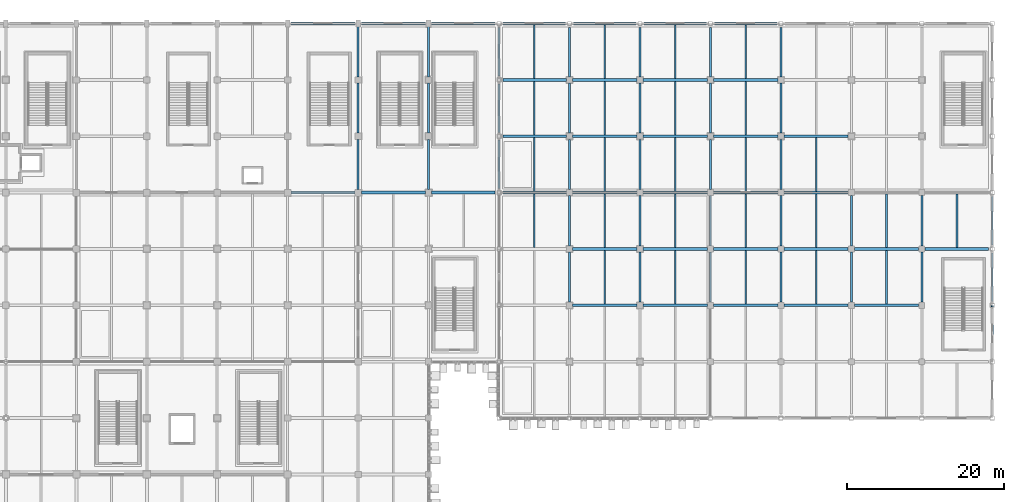
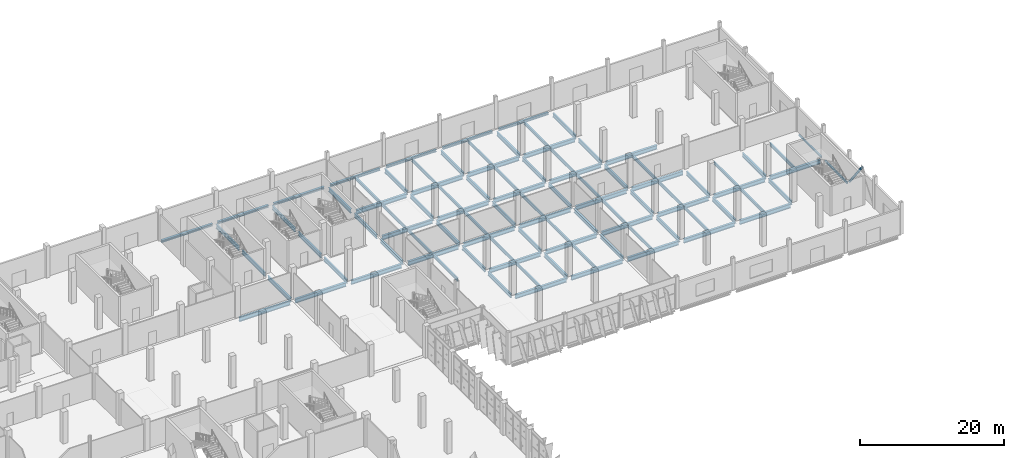
# One storey, part 70 of 137: 95 beams, 1 member.
"""IFC4 building model written with IfcOpenShell, lengths in metres."""

from ifc_helpers import new_model, si_unit, direction, frame, origin, origin_2d, place, context, subcontext, project, spatial, hollow_rectangle, hollow_circle, i_section, extrude, material, material_profile, profile_set, type_object, element, save


model = new_model("IFC4")

# Units and contexts
model_context = context("Model", 3, precision=1e-05, world=origin(), true_north=direction((0.0, 1.0)))
body_context = subcontext(model_context, "Body", "Model", "MODEL_VIEW")
ifc_project = project(units=[si_unit("LENGTHUNIT", "METRE"), si_unit("AREAUNIT", "SQUARE_METRE"), si_unit("VOLUMEUNIT", "CUBIC_METRE"), si_unit("PLANEANGLEUNIT", "RADIAN"), si_unit("MASSUNIT", "GRAM", prefix="KILO")], contexts=[model_context])

# Site, building, storey
site_placement = place(None, origin())
site = spatial("IfcSite", under=ifc_project, at=site_placement, CompositionType="ELEMENT")
building_placement = place(site_placement, origin())
building = spatial("IfcBuilding", under=site, at=building_placement, Name="Celestram Park Convention Centre", CompositionType="ELEMENT")
storey_placement = place(building_placement, origin())
storey = spatial("IfcBuildingStorey", under=building, at=storey_placement, Name="L00", CompositionType="ELEMENT", Elevation=0.0)

# Beams
ifc_material_1 = material(Name="Steel ASTM A992 Grade 50", Category="steel")
ifc_material_profile_1 = material_profile(ifc_material_1, i_section(OverallWidth=0.35595703125, OverallDepth=0.696044921875, WebThickness=0.015380859375, FlangeThickness=0.02490234375, at=origin_2d()), Name="W27X146")
ifc_profile_set_1 = profile_set([ifc_material_profile_1], Name="Steel ASTM A992 Grade 50")
beam_type_1 = type_object("IfcBeamType", Name="STR-BM-W27X146", PredefinedType="BEAM", material=ifc_profile_set_1)
for number, where, z_axis, x_axis, name in (
    (1, (126.39794921875, 144.0, -0.66796875), (1.0, 0.0, 0.0), (0.0, 1.0, 0.0), "Primary X-girder BG-L00-0616"),
    (2, (135.39794921875, 144.0, -0.66796875), (1.0, 0.0, 0.0), (0.0, 1.0, 0.0), "Primary X-girder BG-L00-0655"),
):
    element("IfcBeam", number, at=place(storey_placement, frame(where, z_axis=z_axis, x_axis=x_axis)), inside=storey, type_object=beam_type_1, Name=name, PredefinedType="BEAM", context=body_context, shape_type="SweptSolid", body=[
        extrude(i_section(OverallWidth=0.35595703125, OverallDepth=0.696044921875, WebThickness=0.015380859375, FlangeThickness=0.02490234375, at=origin_2d()), origin(), (0.0, 0.0, 1.0), 8.2041015625),
    ])
for number, where, z_axis, x_axis, name in (
    (3, (144.39794921875, 144.0, -0.66796875), (1.0, 0.0, 0.0), (0.0, 1.0, 0.0), "Primary X-girder BG-L00-0687"),
    (4, (153.498046875, 144.0, -0.66796875), (1.0, 0.0, 0.0), (0.0, 1.0, 0.0), "Primary X-girder BG-L00-0710"),
    (5, (153.498046875, 151.199951171875, -0.66796875), (1.0, 0.0, 0.0), (0.0, 1.0, 0.0), "Primary X-girder BG-L00-0712"),
    (6, (153.498046875, 158.39990234375, -0.66796875), (1.0, 0.0, 0.0), (0.0, 1.0, 0.0), "Primary X-girder BG-L00-0714"),
):
    element("IfcBeam", number, at=place(storey_placement, frame(where, z_axis=z_axis, x_axis=x_axis)), inside=storey, type_object=beam_type_1, Name=name, PredefinedType="BEAM", context=body_context, shape_type="SweptSolid", body=[
        extrude(i_section(OverallWidth=0.35595703125, OverallDepth=0.696044921875, WebThickness=0.015380859375, FlangeThickness=0.02490234375, at=origin_2d()), origin(), (0.0, 0.0, 1.0), 8.10400390625),
    ])
for number, where, z_axis, x_axis, name in (
    (7, (162.39794921875, 129.60009765625, -0.66796875), (1.0, 0.0, 0.0), (0.0, 1.0, 0.0), "Primary X-girder BG-L00-0732"),
    (8, (162.39794921875, 136.800048828125, -0.66796875), (1.0, 0.0, 0.0), (0.0, 1.0, 0.0), "Primary X-girder BG-L00-0734"),
    (9, (162.39794921875, 144.0, -0.66796875), (1.0, 0.0, 0.0), (0.0, 1.0, 0.0), "Primary X-girder BG-L00-0736"),
    (10, (162.39794921875, 151.199951171875, -0.66796875), (1.0, 0.0, 0.0), (0.0, 1.0, 0.0), "Primary X-girder BG-L00-0738"),
    (11, (162.39794921875, 158.39990234375, -0.66796875), (1.0, 0.0, 0.0), (0.0, 1.0, 0.0), "Primary X-girder BG-L00-0740"),
    (12, (171.39794921875, 129.60009765625, -0.66796875), (1.0, 0.0, 0.0), (0.0, 1.0, 0.0), "Primary X-girder BG-L00-0758"),
    (13, (171.39794921875, 136.800048828125, -0.66796875), (1.0, 0.0, 0.0), (0.0, 1.0, 0.0), "Primary X-girder BG-L00-0760"),
    (14, (171.39794921875, 144.0, -0.66796875), (1.0, 0.0, 0.0), (0.0, 1.0, 0.0), "Primary X-girder BG-L00-0762"),
    (15, (171.39794921875, 151.199951171875, -0.66796875), (1.0, 0.0, 0.0), (0.0, 1.0, 0.0), "Primary X-girder BG-L00-0764"),
    (16, (171.39794921875, 158.39990234375, -0.66796875), (1.0, 0.0, 0.0), (0.0, 1.0, 0.0), "Primary X-girder BG-L00-0766"),
    (17, (180.39794921875, 129.60009765625, -0.66796875), (1.0, 0.0, 0.0), (0.0, 1.0, 0.0), "Primary X-girder BG-L00-0784"),
    (18, (180.39794921875, 136.800048828125, -0.66796875), (1.0, 0.0, 0.0), (0.0, 1.0, 0.0), "Primary X-girder BG-L00-0786"),
    (19, (180.39794921875, 144.0, -0.66796875), (1.0, 0.0, 0.0), (0.0, 1.0, 0.0), "Primary X-girder BG-L00-0788"),
    (20, (180.39794921875, 151.199951171875, -0.66796875), (1.0, 0.0, 0.0), (0.0, 1.0, 0.0), "Primary X-girder BG-L00-0790"),
    (21, (180.39794921875, 158.39990234375, -0.66796875), (1.0, 0.0, 0.0), (0.0, 1.0, 0.0), "Primary X-girder BG-L00-0792"),
    (22, (189.39794921875, 129.60009765625, -0.66796875), (1.0, 0.0, 0.0), (0.0, 1.0, 0.0), "Primary X-girder BG-L00-0810"),
    (23, (189.39794921875, 136.800048828125, -0.66796875), (1.0, 0.0, 0.0), (0.0, 1.0, 0.0), "Primary X-girder BG-L00-0812"),
    (24, (189.39794921875, 144.0, -0.66796875), (1.0, 0.0, 0.0), (0.0, 1.0, 0.0), "Primary X-girder BG-L00-0814"),
    (25, (189.39794921875, 151.199951171875, -0.66796875), (1.0, 0.0, 0.0), (0.0, 1.0, 0.0), "Primary X-girder BG-L00-0816"),
    (26, (198.39794921875, 129.60009765625, -0.66796875), (1.0, 0.0, 0.0), (0.0, 1.0, 0.0), "Primary X-girder BG-L00-0836"),
    (27, (198.39794921875, 136.800048828125, -0.66796875), (1.0, 0.0, 0.0), (0.0, 1.0, 0.0), "Primary X-girder BG-L00-0838"),
):
    element("IfcBeam", number, at=place(storey_placement, frame(where, z_axis=z_axis, x_axis=x_axis)), inside=storey, type_object=beam_type_1, Name=name, PredefinedType="BEAM", context=body_context, shape_type="SweptSolid", body=[
        extrude(i_section(OverallWidth=0.35595703125, OverallDepth=0.696044921875, WebThickness=0.015380859375, FlangeThickness=0.02490234375, at=origin_2d()), origin(), (0.0, 0.0, 1.0), 8.2041015625),
    ])
beam_1_placement = place(storey_placement, frame((207.39794921875, 136.800048828125, -0.66796875), z_axis=(1.0, 0.0, 0.0), x_axis=(0.0, 1.0, 0.0)))
element("IfcBeam", 28, at=beam_1_placement, inside=storey, type_object=beam_type_1, Name="Primary X-girder BG-L00-0861", PredefinedType="BEAM", context=body_context, shape_type="SweptSolid", body=[
    extrude(i_section(OverallWidth=0.35595703125, OverallDepth=0.696044921875, WebThickness=0.015380859375, FlangeThickness=0.02490234375, at=origin_2d()), origin(), (0.0, 0.0, 1.0), 8.10400390625),
])
ifc_material_profile_2 = material_profile(ifc_material_1, i_section(OverallWidth=0.25390625, OverallDepth=0.68310546875, WebThickness=0.012451171875, FlangeThickness=0.01904296875, at=origin_2d()), Name="W27X94")
ifc_profile_set_2 = profile_set([ifc_material_profile_2], Name="Steel ASTM A992 Grade 50")
beam_type_2 = type_object("IfcBeamType", Name="STR-BM-W27X94", PredefinedType="BEAM", material=ifc_profile_set_2)
for number, where, z_axis, x_axis, name in (
    (29, (135.0, 144.39794921875, -0.66162109375), (0.0, 1.0, 0.0), (-1.0, 0.0, 0.0), "Primary Y-girder BG-L00-0656"),
    (30, (135.0, 151.597900390625, -0.66162109375), (0.0, 1.0, 0.0), (-1.0, 0.0, 0.0), "Primary Y-girder BG-L00-0657"),
):
    element("IfcBeam", number, at=place(storey_placement, frame(where, z_axis=z_axis, x_axis=x_axis)), inside=storey, type_object=beam_type_2, Name=name, PredefinedType="BEAM", context=body_context, shape_type="SweptSolid", body=[
        extrude(i_section(OverallWidth=0.25390625, OverallDepth=0.68310546875, WebThickness=0.012451171875, FlangeThickness=0.01904296875, at=origin_2d()), origin(), (0.0, 0.0, 1.0), 6.404052734375),
    ])
beam_2_placement = place(storey_placement, frame((135.0, 158.798095703125, -0.66162109375), z_axis=(0.0, 1.0, 0.0), x_axis=(-1.0, 0.0, 0.0)))
element("IfcBeam", 31, at=beam_2_placement, inside=storey, type_object=beam_type_2, Name="Primary Y-girder BG-L00-0658", PredefinedType="BEAM", context=body_context, shape_type="SweptSolid", body=[
    extrude(i_section(OverallWidth=0.25390625, OverallDepth=0.68310546875, WebThickness=0.012451171875, FlangeThickness=0.01904296875, at=origin_2d()), origin(), (0.0, 0.0, 1.0), 6.40380859375),
])
for number, where, z_axis, x_axis, name in (
    (32, (144.0, 144.39794921875, -0.66162109375), (0.0, 1.0, 0.0), (-1.0, 0.0, 0.0), "Primary Y-girder BG-L00-0688"),
    (33, (144.0, 151.597900390625, -0.66162109375), (0.0, 1.0, 0.0), (-1.0, 0.0, 0.0), "Primary Y-girder BG-L00-0689"),
):
    element("IfcBeam", number, at=place(storey_placement, frame(where, z_axis=z_axis, x_axis=x_axis)), inside=storey, type_object=beam_type_2, Name=name, PredefinedType="BEAM", context=body_context, shape_type="SweptSolid", body=[
        extrude(i_section(OverallWidth=0.25390625, OverallDepth=0.68310546875, WebThickness=0.012451171875, FlangeThickness=0.01904296875, at=origin_2d()), origin(), (0.0, 0.0, 1.0), 6.404052734375),
    ])
beam_3_placement = place(storey_placement, frame((144.0, 158.798095703125, -0.66162109375), z_axis=(0.0, 1.0, 0.0), x_axis=(-1.0, 0.0, 0.0)))
element("IfcBeam", 34, at=beam_3_placement, inside=storey, type_object=beam_type_2, Name="Primary Y-girder BG-L00-0690", PredefinedType="BEAM", context=body_context, shape_type="SweptSolid", body=[
    extrude(i_section(OverallWidth=0.25390625, OverallDepth=0.68310546875, WebThickness=0.012451171875, FlangeThickness=0.01904296875, at=origin_2d()), origin(), (0.0, 0.0, 1.0), 6.40380859375),
])
beam_4_placement = place(storey_placement, frame((153.0, 144.498046875, -0.66162109375), z_axis=(0.0, 1.0, 0.0), x_axis=(-1.0, 0.0, 0.0)))
element("IfcBeam", 35, at=beam_4_placement, inside=storey, type_object=beam_type_2, Name="Primary Y-girder BG-L00-0711", PredefinedType="BEAM", context=body_context, shape_type="SweptSolid", body=[
    extrude(i_section(OverallWidth=0.25390625, OverallDepth=0.68310546875, WebThickness=0.012451171875, FlangeThickness=0.01904296875, at=origin_2d()), origin(), (0.0, 0.0, 1.0), 6.203857421875),
])
for number, where, z_axis, x_axis, name in (
    (36, (153.0, 151.697998046875, -0.66162109375), (0.0, 1.0, 0.0), (-1.0, 0.0, 0.0), "Primary Y-girder BG-L00-0713"),
    (37, (153.0, 158.89794921875, -0.66162109375), (0.0, 1.0, 0.0), (-1.0, 0.0, 0.0), "Primary Y-girder BG-L00-0715"),
):
    element("IfcBeam", number, at=place(storey_placement, frame(where, z_axis=z_axis, x_axis=x_axis)), inside=storey, type_object=beam_type_2, Name=name, PredefinedType="BEAM", context=body_context, shape_type="SweptSolid", body=[
        extrude(i_section(OverallWidth=0.25390625, OverallDepth=0.68310546875, WebThickness=0.012451171875, FlangeThickness=0.01904296875, at=origin_2d()), origin(), (0.0, 0.0, 1.0), 6.2041015625),
    ])
for number, where, z_axis, x_axis, name in (
    (38, (162.0, 129.998046875, -0.66162109375), (0.0, 1.0, 0.0), (-1.0, 0.0, 0.0), "Primary Y-girder BG-L00-0733"),
    (39, (162.0, 137.197998046875, -0.66162109375), (0.0, 1.0, 0.0), (-1.0, 0.0, 0.0), "Primary Y-girder BG-L00-0735"),
    (40, (162.0, 144.39794921875, -0.66162109375), (0.0, 1.0, 0.0), (-1.0, 0.0, 0.0), "Primary Y-girder BG-L00-0737"),
    (41, (162.0, 151.597900390625, -0.66162109375), (0.0, 1.0, 0.0), (-1.0, 0.0, 0.0), "Primary Y-girder BG-L00-0739"),
):
    element("IfcBeam", number, at=place(storey_placement, frame(where, z_axis=z_axis, x_axis=x_axis)), inside=storey, type_object=beam_type_2, Name=name, PredefinedType="BEAM", context=body_context, shape_type="SweptSolid", body=[
        extrude(i_section(OverallWidth=0.25390625, OverallDepth=0.68310546875, WebThickness=0.012451171875, FlangeThickness=0.01904296875, at=origin_2d()), origin(), (0.0, 0.0, 1.0), 6.404052734375),
    ])
beam_5_placement = place(storey_placement, frame((162.0, 158.798095703125, -0.66162109375), z_axis=(0.0, 1.0, 0.0), x_axis=(-1.0, 0.0, 0.0)))
element("IfcBeam", 42, at=beam_5_placement, inside=storey, type_object=beam_type_2, Name="Primary Y-girder BG-L00-0741", PredefinedType="BEAM", context=body_context, shape_type="SweptSolid", body=[
    extrude(i_section(OverallWidth=0.25390625, OverallDepth=0.68310546875, WebThickness=0.012451171875, FlangeThickness=0.01904296875, at=origin_2d()), origin(), (0.0, 0.0, 1.0), 6.303955078125),
])
for number, where, z_axis, x_axis, name in (
    (43, (171.0, 129.998046875, -0.66162109375), (0.0, 1.0, 0.0), (-1.0, 0.0, 0.0), "Primary Y-girder BG-L00-0759"),
    (44, (171.0, 137.197998046875, -0.66162109375), (0.0, 1.0, 0.0), (-1.0, 0.0, 0.0), "Primary Y-girder BG-L00-0761"),
    (45, (171.0, 144.39794921875, -0.66162109375), (0.0, 1.0, 0.0), (-1.0, 0.0, 0.0), "Primary Y-girder BG-L00-0763"),
    (46, (171.0, 151.597900390625, -0.66162109375), (0.0, 1.0, 0.0), (-1.0, 0.0, 0.0), "Primary Y-girder BG-L00-0765"),
):
    element("IfcBeam", number, at=place(storey_placement, frame(where, z_axis=z_axis, x_axis=x_axis)), inside=storey, type_object=beam_type_2, Name=name, PredefinedType="BEAM", context=body_context, shape_type="SweptSolid", body=[
        extrude(i_section(OverallWidth=0.25390625, OverallDepth=0.68310546875, WebThickness=0.012451171875, FlangeThickness=0.01904296875, at=origin_2d()), origin(), (0.0, 0.0, 1.0), 6.404052734375),
    ])
beam_6_placement = place(storey_placement, frame((171.0, 158.798095703125, -0.66162109375), z_axis=(0.0, 1.0, 0.0), x_axis=(-1.0, 0.0, 0.0)))
element("IfcBeam", 47, at=beam_6_placement, inside=storey, type_object=beam_type_2, Name="Primary Y-girder BG-L00-0767", PredefinedType="BEAM", context=body_context, shape_type="SweptSolid", body=[
    extrude(i_section(OverallWidth=0.25390625, OverallDepth=0.68310546875, WebThickness=0.012451171875, FlangeThickness=0.01904296875, at=origin_2d()), origin(), (0.0, 0.0, 1.0), 6.303955078125),
])
for number, where, z_axis, x_axis, name in (
    (48, (180.0, 129.998046875, -0.66162109375), (0.0, 1.0, 0.0), (-1.0, 0.0, 0.0), "Primary Y-girder BG-L00-0785"),
    (49, (180.0, 137.197998046875, -0.66162109375), (0.0, 1.0, 0.0), (-1.0, 0.0, 0.0), "Primary Y-girder BG-L00-0787"),
    (50, (180.0, 144.39794921875, -0.66162109375), (0.0, 1.0, 0.0), (-1.0, 0.0, 0.0), "Primary Y-girder BG-L00-0789"),
    (51, (180.0, 151.597900390625, -0.66162109375), (0.0, 1.0, 0.0), (-1.0, 0.0, 0.0), "Primary Y-girder BG-L00-0791"),
):
    element("IfcBeam", number, at=place(storey_placement, frame(where, z_axis=z_axis, x_axis=x_axis)), inside=storey, type_object=beam_type_2, Name=name, PredefinedType="BEAM", context=body_context, shape_type="SweptSolid", body=[
        extrude(i_section(OverallWidth=0.25390625, OverallDepth=0.68310546875, WebThickness=0.012451171875, FlangeThickness=0.01904296875, at=origin_2d()), origin(), (0.0, 0.0, 1.0), 6.404052734375),
    ])
beam_7_placement = place(storey_placement, frame((180.0, 158.798095703125, -0.66162109375), z_axis=(0.0, 1.0, 0.0), x_axis=(-1.0, 0.0, 0.0)))
element("IfcBeam", 52, at=beam_7_placement, inside=storey, type_object=beam_type_2, Name="Primary Y-girder BG-L00-0793", PredefinedType="BEAM", context=body_context, shape_type="SweptSolid", body=[
    extrude(i_section(OverallWidth=0.25390625, OverallDepth=0.68310546875, WebThickness=0.012451171875, FlangeThickness=0.01904296875, at=origin_2d()), origin(), (0.0, 0.0, 1.0), 6.303955078125),
])
for number, where, z_axis, x_axis, name in (
    (53, (189.0, 129.998046875, -0.66162109375), (0.0, 1.0, 0.0), (-1.0, 0.0, 0.0), "Primary Y-girder BG-L00-0811"),
    (54, (189.0, 137.197998046875, -0.66162109375), (0.0, 1.0, 0.0), (-1.0, 0.0, 0.0), "Primary Y-girder BG-L00-0813"),
    (55, (189.0, 144.39794921875, -0.66162109375), (0.0, 1.0, 0.0), (-1.0, 0.0, 0.0), "Primary Y-girder BG-L00-0815"),
    (56, (189.0, 151.597900390625, -0.66162109375), (0.0, 1.0, 0.0), (-1.0, 0.0, 0.0), "Primary Y-girder BG-L00-0817"),
):
    element("IfcBeam", number, at=place(storey_placement, frame(where, z_axis=z_axis, x_axis=x_axis)), inside=storey, type_object=beam_type_2, Name=name, PredefinedType="BEAM", context=body_context, shape_type="SweptSolid", body=[
        extrude(i_section(OverallWidth=0.25390625, OverallDepth=0.68310546875, WebThickness=0.012451171875, FlangeThickness=0.01904296875, at=origin_2d()), origin(), (0.0, 0.0, 1.0), 6.404052734375),
    ])
beam_8_placement = place(storey_placement, frame((189.0, 158.798095703125, -0.66162109375), z_axis=(0.0, 1.0, 0.0), x_axis=(-1.0, 0.0, 0.0)))
element("IfcBeam", 57, at=beam_8_placement, inside=storey, type_object=beam_type_2, Name="Primary Y-girder BG-L00-0819", PredefinedType="BEAM", context=body_context, shape_type="SweptSolid", body=[
    extrude(i_section(OverallWidth=0.25390625, OverallDepth=0.68310546875, WebThickness=0.012451171875, FlangeThickness=0.01904296875, at=origin_2d()), origin(), (0.0, 0.0, 1.0), 6.303955078125),
])
for number, where, z_axis, x_axis, name in (
    (58, (198.0, 129.998046875, -0.66162109375), (0.0, 1.0, 0.0), (-1.0, 0.0, 0.0), "Primary Y-girder BG-L00-0837"),
    (59, (198.0, 137.197998046875, -0.66162109375), (0.0, 1.0, 0.0), (-1.0, 0.0, 0.0), "Primary Y-girder BG-L00-0839"),
    (60, (207.0, 129.998046875, -0.66162109375), (0.0, 1.0, 0.0), (-1.0, 0.0, 0.0), "Primary Y-girder BG-L00-0860"),
    (61, (207.0, 137.197998046875, -0.66162109375), (0.0, 1.0, 0.0), (-1.0, 0.0, 0.0), "Primary Y-girder BG-L00-0862"),
):
    element("IfcBeam", number, at=place(storey_placement, frame(where, z_axis=z_axis, x_axis=x_axis)), inside=storey, type_object=beam_type_2, Name=name, PredefinedType="BEAM", context=body_context, shape_type="SweptSolid", body=[
        extrude(i_section(OverallWidth=0.25390625, OverallDepth=0.68310546875, WebThickness=0.012451171875, FlangeThickness=0.01904296875, at=origin_2d()), origin(), (0.0, 0.0, 1.0), 6.404052734375),
    ])

# Member
ifc_material_2 = material(Name="Steel ASTM A500 Grade C", Category="steel")
ifc_material_profile_3 = material_profile(ifc_material_2, hollow_circle(Radius=0.177978515625, WallThickness=0.011962890625, at=origin_2d()), Name="CHS356X12")
ifc_profile_set_3 = profile_set([ifc_material_profile_3], Name="Steel ASTM A500 Grade C")
member_type = type_object("IfcMemberType", Name="STR-BRC-CHS356", PredefinedType="BRACE", material=ifc_profile_set_3)
member_placement = place(storey_placement, frame((216.0, 129.47998046875, 0.14990234375), z_axis=(0.0, -0.607508638933, 0.794313070282), x_axis=(1.0, 0.0, 0.0)))
element("IfcMember", 62, at=member_placement, inside=storey, type_object=member_type, Name="Chevron braced-frame diagonal BF-L00-010", PredefinedType="BRACE", context=body_context, shape_type="SweptSolid", body=[
    extrude(hollow_circle(Radius=0.177978515625, WallThickness=0.011962890625, at=origin_2d()), origin(), (0.0, 0.0, 1.0), 5.728271484375),
])

# Beams
ifc_material_profile_4 = material_profile(ifc_material_1, i_section(OverallWidth=0.2099609375, OverallDepth=0.532958984375, WebThickness=0.01025390625, FlangeThickness=0.015625, at=origin_2d()), Name="W21X62")
ifc_profile_set_4 = profile_set([ifc_material_profile_4], Name="Steel ASTM A992 Grade 50")
beam_type_3 = type_object("IfcBeamType", Name="STR-JST-W21X62", PredefinedType="JOIST", material=ifc_profile_set_4)
for number, where, z_axis, x_axis, name in (
    (63, (157.5, 136.97412109375, -0.58642578125), (0.0, 1.0, 0.0), (-1.0, 0.0, 0.0), "Secondary composite joist BG-L00-1180"),
    (64, (157.5, 144.174072265625, -0.58642578125), (0.0, 1.0, 0.0), (-1.0, 0.0, 0.0), "Secondary composite joist BG-L00-1181"),
):
    element("IfcBeam", number, at=place(storey_placement, frame(where, z_axis=z_axis, x_axis=x_axis)), inside=storey, type_object=beam_type_3, Name=name, PredefinedType="JOIST", context=body_context, shape_type="SweptSolid", body=[
        extrude(i_section(OverallWidth=0.2099609375, OverallDepth=0.532958984375, WebThickness=0.01025390625, FlangeThickness=0.015625, at=origin_2d()), origin(), (0.0, 0.0, 1.0), 6.851806640625),
    ])
beam_9_placement = place(storey_placement, frame((157.5, 151.3740234375, -0.58642578125), z_axis=(0.0, 1.0, 0.0), x_axis=(-1.0, 0.0, 0.0)))
element("IfcBeam", 65, at=beam_9_placement, inside=storey, type_object=beam_type_3, Name="Secondary composite joist BG-L00-1182", PredefinedType="JOIST", context=body_context, shape_type="SweptSolid", body=[
    extrude(i_section(OverallWidth=0.2099609375, OverallDepth=0.532958984375, WebThickness=0.01025390625, FlangeThickness=0.015625, at=origin_2d()), origin(), (0.0, 0.0, 1.0), 6.85205078125),
])
beam_10_placement = place(storey_placement, frame((157.5, 158.573974609375, -0.58642578125), z_axis=(0.0, 1.0, 0.0), x_axis=(-1.0, 0.0, 0.0)))
element("IfcBeam", 66, at=beam_10_placement, inside=storey, type_object=beam_type_3, Name="Secondary composite joist BG-L00-1183", PredefinedType="JOIST", context=body_context, shape_type="SweptSolid", body=[
    extrude(i_section(OverallWidth=0.2099609375, OverallDepth=0.532958984375, WebThickness=0.01025390625, FlangeThickness=0.015625, at=origin_2d()), origin(), (0.0, 0.0, 1.0), 6.843994140625),
])
beam_11_placement = place(storey_placement, frame((166.5, 129.77392578125, -0.58642578125), z_axis=(0.0, 1.0, 0.0), x_axis=(-1.0, 0.0, 0.0)))
element("IfcBeam", 67, at=beam_11_placement, inside=storey, type_object=beam_type_3, Name="Secondary composite joist BG-L00-1191", PredefinedType="JOIST", context=body_context, shape_type="SweptSolid", body=[
    extrude(i_section(OverallWidth=0.2099609375, OverallDepth=0.532958984375, WebThickness=0.01025390625, FlangeThickness=0.015625, at=origin_2d()), origin(), (0.0, 0.0, 1.0), 6.85205078125),
])
for number, where, z_axis, x_axis, name in (
    (68, (166.5, 136.97412109375, -0.58642578125), (0.0, 1.0, 0.0), (-1.0, 0.0, 0.0), "Secondary composite joist BG-L00-1192"),
    (69, (166.5, 144.174072265625, -0.58642578125), (0.0, 1.0, 0.0), (-1.0, 0.0, 0.0), "Secondary composite joist BG-L00-1193"),
):
    element("IfcBeam", number, at=place(storey_placement, frame(where, z_axis=z_axis, x_axis=x_axis)), inside=storey, type_object=beam_type_3, Name=name, PredefinedType="JOIST", context=body_context, shape_type="SweptSolid", body=[
        extrude(i_section(OverallWidth=0.2099609375, OverallDepth=0.532958984375, WebThickness=0.01025390625, FlangeThickness=0.015625, at=origin_2d()), origin(), (0.0, 0.0, 1.0), 6.851806640625),
    ])
beam_12_placement = place(storey_placement, frame((166.5, 151.3740234375, -0.58642578125), z_axis=(0.0, 1.0, 0.0), x_axis=(-1.0, 0.0, 0.0)))
element("IfcBeam", 70, at=beam_12_placement, inside=storey, type_object=beam_type_3, Name="Secondary composite joist BG-L00-1194", PredefinedType="JOIST", context=body_context, shape_type="SweptSolid", body=[
    extrude(i_section(OverallWidth=0.2099609375, OverallDepth=0.532958984375, WebThickness=0.01025390625, FlangeThickness=0.015625, at=origin_2d()), origin(), (0.0, 0.0, 1.0), 6.85205078125),
])
beam_13_placement = place(storey_placement, frame((166.5, 158.573974609375, -0.58642578125), z_axis=(0.0, 1.0, 0.0), x_axis=(-1.0, 0.0, 0.0)))
element("IfcBeam", 71, at=beam_13_placement, inside=storey, type_object=beam_type_3, Name="Secondary composite joist BG-L00-1195", PredefinedType="JOIST", context=body_context, shape_type="SweptSolid", body=[
    extrude(i_section(OverallWidth=0.2099609375, OverallDepth=0.532958984375, WebThickness=0.01025390625, FlangeThickness=0.015625, at=origin_2d()), origin(), (0.0, 0.0, 1.0), 6.843994140625),
])
beam_14_placement = place(storey_placement, frame((175.5, 129.77392578125, -0.58642578125), z_axis=(0.0, 1.0, 0.0), x_axis=(-1.0, 0.0, 0.0)))
element("IfcBeam", 72, at=beam_14_placement, inside=storey, type_object=beam_type_3, Name="Secondary composite joist BG-L00-1203", PredefinedType="JOIST", context=body_context, shape_type="SweptSolid", body=[
    extrude(i_section(OverallWidth=0.2099609375, OverallDepth=0.532958984375, WebThickness=0.01025390625, FlangeThickness=0.015625, at=origin_2d()), origin(), (0.0, 0.0, 1.0), 6.85205078125),
])
for number, where, z_axis, x_axis, name in (
    (73, (175.5, 136.97412109375, -0.58642578125), (0.0, 1.0, 0.0), (-1.0, 0.0, 0.0), "Secondary composite joist BG-L00-1204"),
    (74, (175.5, 144.174072265625, -0.58642578125), (0.0, 1.0, 0.0), (-1.0, 0.0, 0.0), "Secondary composite joist BG-L00-1205"),
):
    element("IfcBeam", number, at=place(storey_placement, frame(where, z_axis=z_axis, x_axis=x_axis)), inside=storey, type_object=beam_type_3, Name=name, PredefinedType="JOIST", context=body_context, shape_type="SweptSolid", body=[
        extrude(i_section(OverallWidth=0.2099609375, OverallDepth=0.532958984375, WebThickness=0.01025390625, FlangeThickness=0.015625, at=origin_2d()), origin(), (0.0, 0.0, 1.0), 6.851806640625),
    ])
beam_15_placement = place(storey_placement, frame((175.5, 151.3740234375, -0.58642578125), z_axis=(0.0, 1.0, 0.0), x_axis=(-1.0, 0.0, 0.0)))
element("IfcBeam", 75, at=beam_15_placement, inside=storey, type_object=beam_type_3, Name="Secondary composite joist BG-L00-1206", PredefinedType="JOIST", context=body_context, shape_type="SweptSolid", body=[
    extrude(i_section(OverallWidth=0.2099609375, OverallDepth=0.532958984375, WebThickness=0.01025390625, FlangeThickness=0.015625, at=origin_2d()), origin(), (0.0, 0.0, 1.0), 6.85205078125),
])
beam_16_placement = place(storey_placement, frame((175.5, 158.573974609375, -0.58642578125), z_axis=(0.0, 1.0, 0.0), x_axis=(-1.0, 0.0, 0.0)))
element("IfcBeam", 76, at=beam_16_placement, inside=storey, type_object=beam_type_3, Name="Secondary composite joist BG-L00-1207", PredefinedType="JOIST", context=body_context, shape_type="SweptSolid", body=[
    extrude(i_section(OverallWidth=0.2099609375, OverallDepth=0.532958984375, WebThickness=0.01025390625, FlangeThickness=0.015625, at=origin_2d()), origin(), (0.0, 0.0, 1.0), 6.843994140625),
])
beam_17_placement = place(storey_placement, frame((184.5, 129.77392578125, -0.58642578125), z_axis=(0.0, 1.0, 0.0), x_axis=(-1.0, 0.0, 0.0)))
element("IfcBeam", 77, at=beam_17_placement, inside=storey, type_object=beam_type_3, Name="Secondary composite joist BG-L00-1215", PredefinedType="JOIST", context=body_context, shape_type="SweptSolid", body=[
    extrude(i_section(OverallWidth=0.2099609375, OverallDepth=0.532958984375, WebThickness=0.01025390625, FlangeThickness=0.015625, at=origin_2d()), origin(), (0.0, 0.0, 1.0), 6.85205078125),
])
for number, where, z_axis, x_axis, name in (
    (78, (184.5, 136.97412109375, -0.58642578125), (0.0, 1.0, 0.0), (-1.0, 0.0, 0.0), "Secondary composite joist BG-L00-1216"),
    (79, (184.5, 144.174072265625, -0.58642578125), (0.0, 1.0, 0.0), (-1.0, 0.0, 0.0), "Secondary composite joist BG-L00-1217"),
):
    element("IfcBeam", number, at=place(storey_placement, frame(where, z_axis=z_axis, x_axis=x_axis)), inside=storey, type_object=beam_type_3, Name=name, PredefinedType="JOIST", context=body_context, shape_type="SweptSolid", body=[
        extrude(i_section(OverallWidth=0.2099609375, OverallDepth=0.532958984375, WebThickness=0.01025390625, FlangeThickness=0.015625, at=origin_2d()), origin(), (0.0, 0.0, 1.0), 6.851806640625),
    ])
beam_18_placement = place(storey_placement, frame((184.5, 151.3740234375, -0.58642578125), z_axis=(0.0, 1.0, 0.0), x_axis=(-1.0, 0.0, 0.0)))
element("IfcBeam", 80, at=beam_18_placement, inside=storey, type_object=beam_type_3, Name="Secondary composite joist BG-L00-1218", PredefinedType="JOIST", context=body_context, shape_type="SweptSolid", body=[
    extrude(i_section(OverallWidth=0.2099609375, OverallDepth=0.532958984375, WebThickness=0.01025390625, FlangeThickness=0.015625, at=origin_2d()), origin(), (0.0, 0.0, 1.0), 6.85205078125),
])
beam_19_placement = place(storey_placement, frame((184.5, 158.573974609375, -0.58642578125), z_axis=(0.0, 1.0, 0.0), x_axis=(-1.0, 0.0, 0.0)))
element("IfcBeam", 81, at=beam_19_placement, inside=storey, type_object=beam_type_3, Name="Secondary composite joist BG-L00-1219", PredefinedType="JOIST", context=body_context, shape_type="SweptSolid", body=[
    extrude(i_section(OverallWidth=0.2099609375, OverallDepth=0.532958984375, WebThickness=0.01025390625, FlangeThickness=0.015625, at=origin_2d()), origin(), (0.0, 0.0, 1.0), 6.843994140625),
])
beam_20_placement = place(storey_placement, frame((193.5, 129.77392578125, -0.58642578125), z_axis=(0.0, 1.0, 0.0), x_axis=(-1.0, 0.0, 0.0)))
element("IfcBeam", 82, at=beam_20_placement, inside=storey, type_object=beam_type_3, Name="Secondary composite joist BG-L00-1227", PredefinedType="JOIST", context=body_context, shape_type="SweptSolid", body=[
    extrude(i_section(OverallWidth=0.2099609375, OverallDepth=0.532958984375, WebThickness=0.01025390625, FlangeThickness=0.015625, at=origin_2d()), origin(), (0.0, 0.0, 1.0), 6.85205078125),
])
for number, where, z_axis, x_axis, name in (
    (83, (193.5, 136.97412109375, -0.58642578125), (0.0, 1.0, 0.0), (-1.0, 0.0, 0.0), "Secondary composite joist BG-L00-1228"),
    (84, (193.5, 144.174072265625, -0.58642578125), (0.0, 1.0, 0.0), (-1.0, 0.0, 0.0), "Secondary composite joist BG-L00-1229"),
):
    element("IfcBeam", number, at=place(storey_placement, frame(where, z_axis=z_axis, x_axis=x_axis)), inside=storey, type_object=beam_type_3, Name=name, PredefinedType="JOIST", context=body_context, shape_type="SweptSolid", body=[
        extrude(i_section(OverallWidth=0.2099609375, OverallDepth=0.532958984375, WebThickness=0.01025390625, FlangeThickness=0.015625, at=origin_2d()), origin(), (0.0, 0.0, 1.0), 6.851806640625),
    ])
beam_21_placement = place(storey_placement, frame((202.5, 129.77392578125, -0.58642578125), z_axis=(0.0, 1.0, 0.0), x_axis=(-1.0, 0.0, 0.0)))
element("IfcBeam", 85, at=beam_21_placement, inside=storey, type_object=beam_type_3, Name="Secondary composite joist BG-L00-1239", PredefinedType="JOIST", context=body_context, shape_type="SweptSolid", body=[
    extrude(i_section(OverallWidth=0.2099609375, OverallDepth=0.532958984375, WebThickness=0.01025390625, FlangeThickness=0.015625, at=origin_2d()), origin(), (0.0, 0.0, 1.0), 6.85205078125),
])
for number, where, z_axis, x_axis, name in (
    (86, (202.5, 136.97412109375, -0.58642578125), (0.0, 1.0, 0.0), (-1.0, 0.0, 0.0), "Secondary composite joist BG-L00-1240"),
    (87, (211.5, 136.97412109375, -0.58642578125), (0.0, 1.0, 0.0), (-1.0, 0.0, 0.0), "Secondary composite joist BG-L00-1246"),
):
    element("IfcBeam", number, at=place(storey_placement, frame(where, z_axis=z_axis, x_axis=x_axis)), inside=storey, type_object=beam_type_3, Name=name, PredefinedType="JOIST", context=body_context, shape_type="SweptSolid", body=[
        extrude(i_section(OverallWidth=0.2099609375, OverallDepth=0.532958984375, WebThickness=0.01025390625, FlangeThickness=0.015625, at=origin_2d()), origin(), (0.0, 0.0, 1.0), 6.851806640625),
    ])
ifc_material_profile_5 = material_profile(ifc_material_2, hollow_rectangle(XDim=0.199951171875, YDim=0.300048828125, WallThickness=0.011962890625, at=origin_2d()), Name="HSS300X200X12")
ifc_profile_set_5 = profile_set([ifc_material_profile_5], Name="Steel ASTM A500 Grade C")
beam_type_4 = type_object("IfcBeamType", Name="STR-SPN-HSS300X200", PredefinedType="SPANDREL", material=ifc_profile_set_5)
beam_22_placement = place(storey_placement, frame((216.0, 130.097900390625, -0.469970703125), z_axis=(0.0, 1.0, 0.0), x_axis=(-1.0, 0.0, 0.0)))
element("IfcBeam", 88, at=beam_22_placement, inside=storey, type_object=beam_type_4, Name="Primary Y-girder BG-L00-0875", PredefinedType="SPANDREL", context=body_context, shape_type="SweptSolid", body=[
    extrude(hollow_rectangle(XDim=0.199951171875, YDim=0.300048828125, WallThickness=0.011962890625, at=origin_2d()), origin(), (0.0, 0.0, 1.0), 6.2041015625),
])
beam_23_placement = place(storey_placement, frame((216.0, 137.298095703125, -0.469970703125), z_axis=(0.0, 1.0, 0.0), x_axis=(-1.0, 0.0, 0.0)))
element("IfcBeam", 89, at=beam_23_placement, inside=storey, type_object=beam_type_4, Name="Primary Y-girder BG-L00-0876", PredefinedType="SPANDREL", context=body_context, shape_type="SweptSolid", body=[
    extrude(hollow_rectangle(XDim=0.199951171875, YDim=0.300048828125, WallThickness=0.011962890625, at=origin_2d()), origin(), (0.0, 0.0, 1.0), 6.203857421875),
])
ifc_material_profile_6 = material_profile(ifc_material_1, i_section(OverallWidth=0.373046875, OverallDepth=0.373046875, WebThickness=0.016357421875, FlangeThickness=0.026123046875, at=origin_2d()), Name="W14X132")
ifc_profile_set_6 = profile_set([ifc_material_profile_6], Name="Steel ASTM A992 Grade 50")
beam_type_5 = type_object("IfcBeamType", Name="STR-SPN-W14X132", PredefinedType="SPANDREL", material=ifc_profile_set_6)
for number, where, z_axis, x_axis, name in (
    (90, (126.39794921875, 165.60009765625, -0.506591796875), (1.0, 0.0, 0.0), (0.0, 1.0, 0.0), "Primary X-girder BG-L00-0620"),
    (91, (135.39794921875, 165.60009765625, -0.506591796875), (1.0, 0.0, 0.0), (0.0, 1.0, 0.0), "Primary X-girder BG-L00-0659"),
):
    element("IfcBeam", number, at=place(storey_placement, frame(where, z_axis=z_axis, x_axis=x_axis)), inside=storey, type_object=beam_type_5, Name=name, PredefinedType="SPANDREL", context=body_context, shape_type="SweptSolid", body=[
        extrude(i_section(OverallWidth=0.373046875, OverallDepth=0.373046875, WebThickness=0.016357421875, FlangeThickness=0.026123046875, at=origin_2d()), origin(), (0.0, 0.0, 1.0), 8.2041015625),
    ])
beam_24_placement = place(storey_placement, frame((144.39794921875, 165.60009765625, -0.506591796875), z_axis=(1.0, 0.0, 0.0), x_axis=(0.0, 1.0, 0.0)))
element("IfcBeam", 92, at=beam_24_placement, inside=storey, type_object=beam_type_5, Name="Primary X-girder BG-L00-0691", PredefinedType="SPANDREL", context=body_context, shape_type="SweptSolid", body=[
    extrude(i_section(OverallWidth=0.373046875, OverallDepth=0.373046875, WebThickness=0.016357421875, FlangeThickness=0.026123046875, at=origin_2d()), origin(), (0.0, 0.0, 1.0), 8.10400390625),
])
for number, where, z_axis, x_axis, name in (
    (93, (153.498046875, 165.60009765625, -0.506591796875), (1.0, 0.0, 0.0), (0.0, 1.0, 0.0), "Primary X-girder BG-L00-0716"),
    (94, (162.498046875, 165.60009765625, -0.506591796875), (1.0, 0.0, 0.0), (0.0, 1.0, 0.0), "Primary X-girder BG-L00-0742"),
    (95, (171.498046875, 165.60009765625, -0.506591796875), (1.0, 0.0, 0.0), (0.0, 1.0, 0.0), "Primary X-girder BG-L00-0768"),
    (96, (180.498046875, 165.60009765625, -0.506591796875), (1.0, 0.0, 0.0), (0.0, 1.0, 0.0), "Primary X-girder BG-L00-0794"),
):
    element("IfcBeam", number, at=place(storey_placement, frame(where, z_axis=z_axis, x_axis=x_axis)), inside=storey, type_object=beam_type_5, Name=name, PredefinedType="SPANDREL", context=body_context, shape_type="SweptSolid", body=[
        extrude(i_section(OverallWidth=0.373046875, OverallDepth=0.373046875, WebThickness=0.016357421875, FlangeThickness=0.026123046875, at=origin_2d()), origin(), (0.0, 0.0, 1.0), 8.00390625),
    ])

save(model, "model.ifc")
